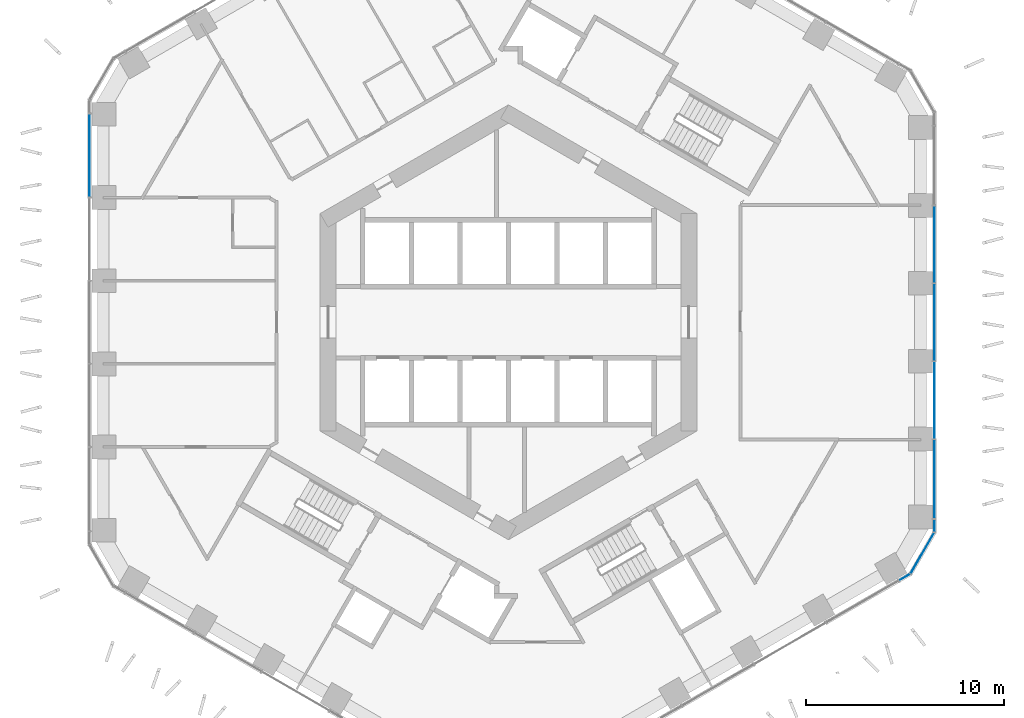
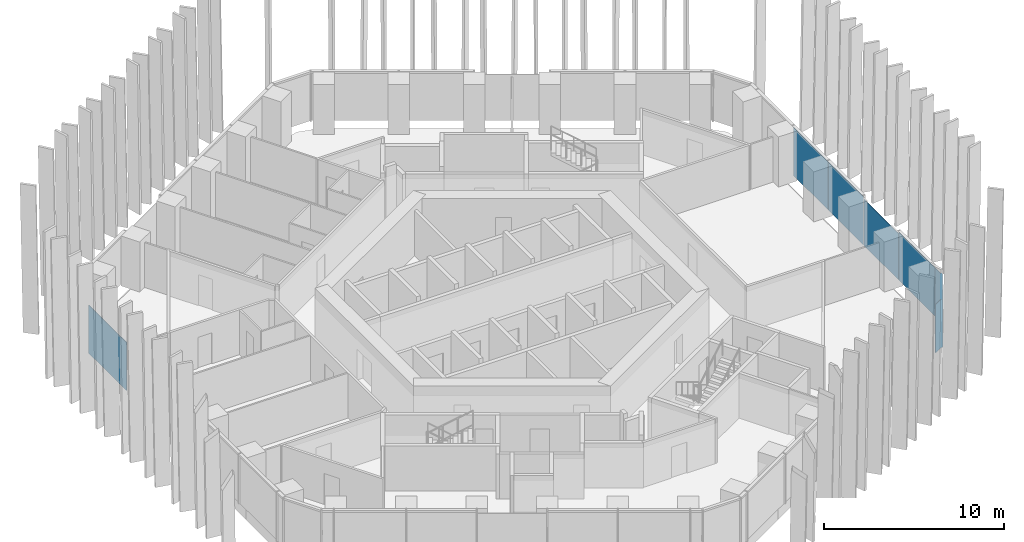
# One storey, part 11 of 19: 8 plates, 3 elements without a shape of their own.
"""IFC4 building model written with IfcOpenShell, lengths in metres."""

import ifcopenshell
import ifcopenshell.guid

model = None  # the IFC model being written
_history = None  # IfcOwnerHistory: only IFC2X3 demands one
_inside = {}  # id of a spatial element -> (the spatial element, [elements in it])
_under = {}  # id of a project, library or spatial element -> (it, [spatial elements below it])
_declared = {}  # id of a project -> (the project, [libraries it declares])
_typed = {}  # id of a type object -> (the type object, [elements of that type])
_made_of = {}  # id of a material, layer set ... -> (it, [elements and type objects made of it])


def new_model(schema):
    """Start an empty IFC model of exactly this schema.

    Asked for "IFC4X3", IfcOpenShell would pick the latest addendum, in which some entities
    have other attributes; the version numbers below select the first issue.
    IFC2X3 requires an IfcOwnerHistory on every rooted entity: one is made here for all.
    """
    global model, _history
    if schema == "IFC4X3":
        model = ifcopenshell.file(schema_version=(4, 3, 0, 0))
    else:
        model = ifcopenshell.file(schema=schema)
    _inside.clear()
    _under.clear()
    _declared.clear()
    _typed.clear()
    _made_of.clear()
    _history = None
    if model.schema == "IFC2X3":
        org = make("IfcOrganization", Name="unknown")
        user = make(
            "IfcPersonAndOrganization",
            ThePerson=make("IfcPerson", FamilyName="unknown"),
            TheOrganization=org,
        )
        app = make(
            "IfcApplication",
            ApplicationDeveloper=org,
            Version="unknown",
            ApplicationFullName="unknown",
            ApplicationIdentifier="unknown",
        )
        _history = make(
            "IfcOwnerHistory",
            OwningUser=user,
            OwningApplication=app,
            ChangeAction="ADDED",
            CreationDate=0,
        )
    return model


def make(cls, **values):
    """One entity of the class cls with the attributes given. An attribute that is None is left unset."""
    return model.create_entity(
        cls, **{name: value for name, value in values.items() if value is not None}
    )


def rooted(cls, **values):
    """An entity with a GlobalId (a new one), such as an element, a storey or a relation."""
    return make(cls, GlobalId=ifcopenshell.guid.new(), OwnerHistory=_history, **values)


def si_unit(unit_type, name, prefix=None):
    """IfcSIUnit, for example si_unit("LENGTHUNIT", "METRE", prefix="MILLI")."""
    return make("IfcSIUnit", UnitType=unit_type, Prefix=prefix, Name=name)


def assignment(units):
    """IfcUnitAssignment: the units of a project."""
    return None if units is None else make("IfcUnitAssignment", Units=units)


def point(xyz):
    """IfcCartesianPoint."""
    return None if xyz is None else make("IfcCartesianPoint", Coordinates=xyz)


def direction(xyz):
    """IfcDirection."""
    return None if xyz is None else make("IfcDirection", DirectionRatios=xyz)


def frame(location, z_axis=None, x_axis=None):
    """IfcAxis2Placement3D, a coordinate frame: its origin and axes. An axis left out is left unset."""
    return make(
        "IfcAxis2Placement3D",
        Location=point(location),
        Axis=direction(z_axis),
        RefDirection=direction(x_axis),
    )


def frame_2d(location, x_axis=None):
    """IfcAxis2Placement2D, a coordinate frame in the plane: its origin and x axis."""
    return make(
        "IfcAxis2Placement2D", Location=point(location), RefDirection=direction(x_axis)
    )


def origin():
    """The frame at (0, 0, 0) with its axes left unset."""
    return frame((0.0, 0.0, 0.0))


def origin_2d():
    """The frame at (0, 0) in the plane with its x axis left unset."""
    return frame_2d((0.0, 0.0))


def place(relative_to, where):
    """IfcLocalPlacement: puts the frame where relative to a parent placement (None: the world)."""
    return make(
        "IfcLocalPlacement", PlacementRelTo=relative_to, RelativePlacement=where
    )


def context(
    kind, dimensions, precision=None, world=None, true_north=None, identifier=None
):
    """IfcGeometricRepresentationContext, for example the 3D "Model" context."""
    return make(
        "IfcGeometricRepresentationContext",
        ContextIdentifier=identifier,
        ContextType=kind,
        CoordinateSpaceDimension=dimensions,
        Precision=precision,
        WorldCoordinateSystem=world,
        TrueNorth=true_north,
    )


def subcontext(parent, identifier, kind, view, scale=None):
    """IfcGeometricRepresentationSubContext, for example "Body" below "Model"."""
    return make(
        "IfcGeometricRepresentationSubContext",
        ContextIdentifier=identifier,
        ContextType=kind,
        ParentContext=parent,
        TargetScale=scale,
        TargetView=view,
    )


def project(units=None, contexts=None):
    """IfcProject with its units and contexts."""
    return rooted(
        "IfcProject",
        Name="project",
        RepresentationContexts=contexts,
        UnitsInContext=assignment(units),
    )


def spatial(cls, under=None, at=None, **own):
    """A site, building, storey or space (cls), placed at a placement, below another one or the project."""
    s = rooted(cls, ObjectPlacement=at, **own)
    if under is not None:
        _under.setdefault(under.id(), (under, []))[1].append(s)
    return s


def profile(cls, at=None, kind="AREA", **sizes):
    """A parametric profile (cls). Its sizes go by their IFC names, for example OverallWidth=200.0."""
    return make(cls, ProfileType=kind, Position=at, **sizes)


def rectangle(**sizes):
    """IfcRectangleProfileDef."""
    return profile("IfcRectangleProfileDef", **sizes)


def extrude(swept, where, along, depth):
    """IfcExtrudedAreaSolid: the profile swept, set in the frame where, extruded along a direction by depth."""
    return make(
        "IfcExtrudedAreaSolid",
        SweptArea=swept,
        Position=where,
        ExtrudedDirection=direction(along),
        Depth=depth,
    )


def shape(context_of_items, identifier, shape_type, items):
    """IfcShapeRepresentation: the items that make up one representation, for example the "Body"."""
    return make(
        "IfcShapeRepresentation",
        ContextOfItems=context_of_items,
        RepresentationIdentifier=identifier,
        RepresentationType=shape_type,
        Items=items,
    )


def material(Name=None, Category=None):
    """IfcMaterial."""
    return make("IfcMaterial", Name=Name, Category=Category)


def layer(
    of_material, thickness, ventilated=None, Name=None, Category=None, Priority=None
):
    """IfcMaterialLayer: one layer of a wall or slab, of a material (None: an air gap)."""
    return make(
        "IfcMaterialLayer",
        Material=of_material,
        LayerThickness=thickness,
        IsVentilated=ventilated,
        Name=Name,
        Category=Category,
        Priority=Priority,
    )


def layer_set(layers, Name=None):
    """IfcMaterialLayerSet."""
    return make("IfcMaterialLayerSet", MaterialLayers=layers, LayerSetName=Name)


def made_of(thing, what):
    """Note that an element or type object is made of a material, layer set ...; save() writes the relation."""
    if what is not None:
        _made_of.setdefault(what.id(), (what, []))[1].append(thing)
    return thing


def type_object(cls, material=None, **own):
    """A type object (cls), such as IfcWallType, which elements share."""
    return made_of(rooted(cls, **own), material)


def element(
    cls,
    number,
    at=None,
    inside=None,
    cuts=None,
    type_object=None,
    material=None,
    context=None,
    identifier="Body",
    shape_type=None,
    held_by="IfcProductDefinitionShape",
    body=None,
    shapes=None,
    **own,
):
    """One element of the class cls, such as IfcWall. Its Tag is "e" and its number.

    at: its placement. inside: the storey or other place that contains it. cuts: it is an
    opening in that element (IfcRelVoidsElement). A single representation is given by context,
    identifier, shape_type and body (its items); several are given by shapes. held_by: the class
    of the entity that holds the representations. save() writes the other relations.
    """
    e = rooted(cls, Tag="e%d" % number, ObjectPlacement=at, **own)
    if body is not None:
        shapes = [shape(context, identifier, shape_type, body)]
    if shapes is not None:
        e.Representation = make(held_by, Representations=shapes)
    if inside is not None:
        _inside.setdefault(inside.id(), (inside, []))[1].append(e)
    if cuts is not None:
        rooted(
            "IfcRelVoidsElement", RelatingBuildingElement=cuts, RelatedOpeningElement=e
        )
    if type_object is not None:
        _typed.setdefault(type_object.id(), (type_object, []))[1].append(e)
    return made_of(e, material)


def aggregate(whole, parts):
    """IfcRelAggregates: a whole, such as a stair, and the parts it consists of."""
    return rooted("IfcRelAggregates", RelatingObject=whole, RelatedObjects=parts)


def save(model, path):
    """Write the relations noted so far, then the file.

    IfcRelAggregates (storeys below a building ...), IfcRelContainedInSpatialStructure (elements
    in a storey), IfcRelDefinesByType, IfcRelAssociatesMaterial and IfcRelDeclares: one each for
    every whole, place, type object, material and project.
    """
    for whole, parts in _under.values():
        aggregate(whole, parts)
    for where, things in _inside.values():
        rooted(
            "IfcRelContainedInSpatialStructure",
            RelatedElements=things,
            RelatingStructure=where,
        )
    for kind, things in _typed.values():
        rooted("IfcRelDefinesByType", RelatedObjects=things, RelatingType=kind)
    for what, things in _made_of.values():
        rooted("IfcRelAssociatesMaterial", RelatedObjects=things, RelatingMaterial=what)
    for by, libraries in _declared.values():
        rooted("IfcRelDeclares", RelatingContext=by, RelatedDefinitions=libraries)
    model.write(path)


model = new_model("IFC4")

# Units and contexts
model_context = context("Model", 3, precision=1e-05, world=origin(), true_north=direction((0.0, 1.0)))
body_context = subcontext(model_context, "Body", "Model", "MODEL_VIEW")
ifc_project = project(units=[si_unit("LENGTHUNIT", "METRE"), si_unit("AREAUNIT", "SQUARE_METRE"), si_unit("VOLUMEUNIT", "CUBIC_METRE"), si_unit("PLANEANGLEUNIT", "RADIAN"), si_unit("MASSUNIT", "GRAM", prefix="KILO")], contexts=[model_context])

# Site, building, storey
site_placement = place(None, origin())
site = spatial("IfcSite", under=ifc_project, at=site_placement, CompositionType="ELEMENT")
building_placement = place(site_placement, origin())
building = spatial("IfcBuilding", under=site, at=building_placement, Name="Ayvan Gate Tower", CompositionType="ELEMENT")
storey_placement = place(building_placement, frame((0.0, 0.0, 45.89990234375)))
storey = spatial("IfcBuildingStorey", under=building, at=storey_placement, Name="L11", CompositionType="ELEMENT", Elevation=45.89990234375)

# Curtain wall, plate
ifc_material_1 = material(Name="Bronze anodised aluminium", Category="aluminium")
ifc_layer_1 = layer(ifc_material_1, 0.199951171875)
ifc_layer_set_1 = layer_set([ifc_layer_1], Name="Bronze anodised aluminium")
curtain_wall_type_1 = type_object("IfcCurtainWallType", Name="Stick curtain wall CW-1", PredefinedType="NOTDEFINED", material=ifc_layer_set_1)
curtain_wall_1_placement = place(storey_placement, origin())
curtain_wall_1 = element("IfcCurtainWall", 1, at=curtain_wall_1_placement, inside=storey, type_object=curtain_wall_type_1, Name="Stick curtain wall CW-1 L11", PredefinedType="NOTDEFINED")
ifc_material_2 = material(Name="Clear low-iron laminated glass", Category="glass")
ifc_layer_2 = layer(ifc_material_2, 0.028076171875)
ifc_layer_set_2 = layer_set([ifc_layer_2], Name="Clear low-iron laminated glass")
plate_type_1 = type_object("IfcPlateType", Name="Stick curtain wall CW-1 glass panel", PredefinedType="CURTAIN_PANEL", material=ifc_layer_set_2)
plate_1_placement = place(storey_placement, frame((-21.12841796875, 8.43017578125, 0.0), z_axis=(0.0, 0.0, 1.0), x_axis=(0.0, -1.0, 0.0)))
plate_1 = element("IfcPlate", 2, at=plate_1_placement, type_object=plate_type_1, Name="CW-1 glass panel 1", PredefinedType="CURTAIN_PANEL", context=body_context, shape_type="SweptSolid", body=[
    extrude(rectangle(XDim=4.2109375, YDim=0.028076171875, at=origin_2d()), origin(), (0.0, 0.0, 1.0), 3.280029296875),
])
aggregate(curtain_wall_1, [plate_1])

# Curtain wall, plates
curtain_wall_2_placement = place(storey_placement, origin())
curtain_wall_2 = element("IfcCurtainWall", 3, at=curtain_wall_2_placement, inside=storey, type_object=curtain_wall_type_1, Name="Stick curtain wall CW-1 L11", PredefinedType="NOTDEFINED")
plate_2_placement = place(storey_placement, frame((21.484619140625, -7.92138671875, 0.0), z_axis=(0.0, 0.0, 1.0), x_axis=(0.0, 1.0, 0.0)))
plate_2 = element("IfcPlate", 4, at=plate_2_placement, type_object=plate_type_1, Name="CW-1 glass panel 1", PredefinedType="CURTAIN_PANEL", context=body_context, shape_type="SweptSolid", body=[
    extrude(rectangle(XDim=3.9951171875, YDim=0.028076171875, at=origin_2d()), origin(), (0.0, 0.0, 1.0), 3.280029296875),
])
plate_3_placement = place(storey_placement, frame((21.484619140625, -3.929443359375, 0.000244140625), z_axis=(0.0, 0.0, 1.0), x_axis=(0.0, 1.0, 0.0)))
plate_3 = element("IfcPlate", 5, at=plate_3_placement, type_object=plate_type_1, Name="CW-1 glass panel 2", PredefinedType="CURTAIN_PANEL", context=body_context, shape_type="SweptSolid", body=[
    extrude(rectangle(XDim=3.868896484375, YDim=0.028076171875, at=origin_2d()), origin(), (0.0, 0.0, 1.0), 3.14990234375),
])
plate_4_placement = place(storey_placement, frame((21.484619140625, -0.00048828125, 0.0), z_axis=(0.0, 0.0, 1.0), x_axis=(0.0, 1.0, 0.0)))
plate_4 = element("IfcPlate", 6, at=plate_4_placement, type_object=plate_type_1, Name="CW-1 glass panel 3", PredefinedType="CURTAIN_PANEL", context=body_context, shape_type="SweptSolid", body=[
    extrude(rectangle(XDim=3.868896484375, YDim=0.028076171875, at=origin_2d()), origin(), (0.0, 0.0, 1.0), 3.280029296875),
])
plate_5_placement = place(storey_placement, frame((21.484619140625, 3.928466796875, 0.0), z_axis=(0.0, 0.0, 1.0), x_axis=(0.0, 1.0, 0.0)))
plate_5 = element("IfcPlate", 7, at=plate_5_placement, type_object=plate_type_1, Name="CW-1 glass panel 4", PredefinedType="CURTAIN_PANEL", context=body_context, shape_type="SweptSolid", body=[
    extrude(rectangle(XDim=3.868896484375, YDim=0.028076171875, at=origin_2d()), origin(), (0.0, 0.0, 1.0), 3.280029296875),
])
aggregate(curtain_wall_2, [plate_2, plate_3, plate_4, plate_5])

ifc_layer_3 = layer(ifc_material_1, 0.199951171875)
ifc_layer_set_3 = layer_set([ifc_layer_3], Name="Bronze anodised aluminium")
curtain_wall_type_2 = type_object("IfcCurtainWallType", Name="Stick curtain wall CW-6", PredefinedType="NOTDEFINED", material=ifc_layer_set_3)
curtain_wall_3_placement = place(storey_placement, origin())
curtain_wall_3 = element("IfcCurtainWall", 8, at=curtain_wall_3_placement, inside=storey, type_object=curtain_wall_type_2, Name="Stick curtain wall CW-6 L11", PredefinedType="NOTDEFINED")
ifc_layer_4 = layer(ifc_material_2, 0.028076171875)
ifc_layer_set_4 = layer_set([ifc_layer_4], Name="Clear low-iron laminated glass")
plate_type_2 = type_object("IfcPlateType", Name="Stick curtain wall CW-6 glass panel", PredefinedType="CURTAIN_PANEL", material=ifc_layer_set_4)
plate_6_placement = place(storey_placement, frame((19.985107421875, -12.858642578125, 0.0), z_axis=(0.0, 0.0, 1.0), x_axis=(0.866025403784, 0.5, 0.0)))
plate_6 = element("IfcPlate", 9, at=plate_6_placement, type_object=plate_type_2, Name="CW-6 glass panel 1", PredefinedType="CURTAIN_PANEL", context=body_context, shape_type="SweptSolid", body=[
    extrude(rectangle(XDim=0.625, YDim=0.028076171875, at=origin_2d()), origin(), (0.0, 0.0, 1.0), 3.280029296875),
])
plate_7_placement = place(storey_placement, frame((20.880859375, -11.64453125, 0.0), z_axis=(0.0, 0.0, 1.0), x_axis=(0.5, 0.866025403784, 0.0)))
plate_7 = element("IfcPlate", 10, at=plate_7_placement, type_object=plate_type_2, Name="CW-6 glass panel 2", PredefinedType="CURTAIN_PANEL", context=body_context, shape_type="SweptSolid", body=[
    extrude(rectangle(XDim=2.364501953125, YDim=0.028076171875, at=origin_2d()), origin(), (0.0, 0.0, 1.0), 3.280029296875),
])
plate_8_placement = place(storey_placement, frame((21.484619140625, -10.261474609375, 0.0), z_axis=(0.0, 0.0, 1.0), x_axis=(0.0, 1.0, 0.0)))
plate_8 = element("IfcPlate", 11, at=plate_8_placement, type_object=plate_type_2, Name="CW-6 glass panel 3", PredefinedType="CURTAIN_PANEL", context=body_context, shape_type="SweptSolid", body=[
    extrude(rectangle(XDim=0.625, YDim=0.028076171875, at=origin_2d()), origin(), (0.0, 0.0, 1.0), 3.280029296875),
])
aggregate(curtain_wall_3, [plate_6, plate_7, plate_8])

save(model, "model.ifc")
